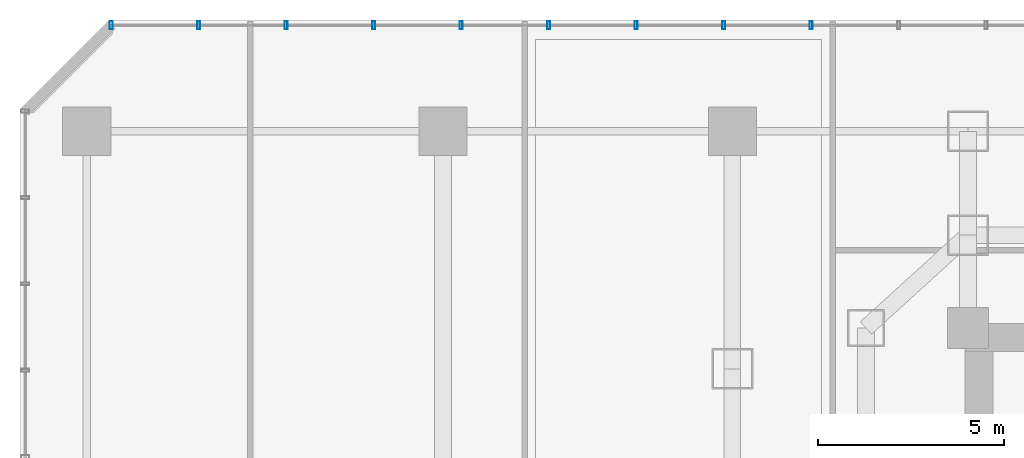
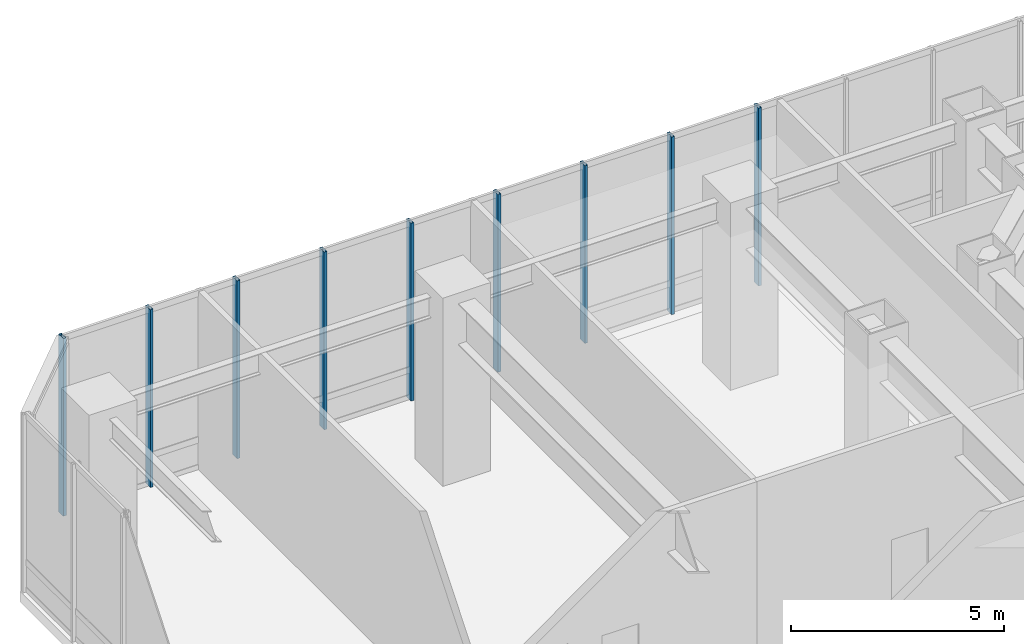
# One storey, part 16 of 35: 9 members, 1 element without a shape of its own.
"""IFC4 building model written with IfcOpenShell, lengths in metres."""

from ifc_helpers import new_model, si_unit, direction, frame, origin, origin_2d, place, context, subcontext, project, spatial, hollow_rectangle, extrude, material, layer, layer_set, material_profile, profile_set, type_object, element, aggregate, save


model = new_model("IFC4")

# Units and contexts
model_context = context("Model", 3, precision=1e-05, world=origin(), true_north=direction((0.0, 1.0)))
body_context = subcontext(model_context, "Body", "Model", "MODEL_VIEW")
ifc_project = project(units=[si_unit("LENGTHUNIT", "METRE"), si_unit("AREAUNIT", "SQUARE_METRE"), si_unit("VOLUMEUNIT", "CUBIC_METRE"), si_unit("PLANEANGLEUNIT", "RADIAN"), si_unit("MASSUNIT", "GRAM", prefix="KILO")], contexts=[model_context])

# Site, building, storey
site_placement = place(None, origin())
site = spatial("IfcSite", under=ifc_project, at=site_placement, CompositionType="ELEMENT")
building_placement = place(site_placement, origin())
building = spatial("IfcBuilding", under=site, at=building_placement, Name="Hatsunagi Terrace Concourse", CompositionType="ELEMENT")
storey_placement = place(building_placement, frame((0.0, 0.0, 10.800048828125)))
storey = spatial("IfcBuildingStorey", under=building, at=storey_placement, Name="L03", CompositionType="ELEMENT", Elevation=10.800048828125)

# Curtain wall, members
ifc_material_1 = material(Name="Anodised Aluminium Alloy 6063-T5", Category="aluminium")
ifc_layer = layer(ifc_material_1, 0.199951171875)
ifc_layer_set = layer_set([ifc_layer], Name="PodiumStorefront_CW01")
curtain_wall_type = type_object("IfcCurtainWallType", Name="PodiumStorefront_CW01", PredefinedType="NOTDEFINED", material=ifc_layer_set)
curtain_wall_placement = place(storey_placement, origin())
curtain_wall = element("IfcCurtainWall", 1, at=curtain_wall_placement, inside=storey, type_object=curtain_wall_type, Name="Unitised Curtain Wall CW-01 CW-L03-12", PredefinedType="NOTDEFINED")
ifc_material_2 = material(Name="Anodised Aluminium Alloy 6063-T5", Category="aluminium")
ifc_material_profile = material_profile(ifc_material_2, hollow_rectangle(XDim=0.080078125, YDim=0.219970703125, WallThickness=0.0048828125, at=origin_2d()), Name="ALU-MUL-220x80x5")
ifc_profile_set = profile_set([ifc_material_profile], Name="Anodised Aluminium Alloy 6063-T5")
member_type = type_object("IfcMemberType", Name="CurtainWallMullion_Heavy_220x80", PredefinedType="MULLION", material=ifc_profile_set)
member_1_placement = place(storey_placement, frame((2.4580078125, 51.4599609375, 0.0), z_axis=(0.0, 0.0, 1.0), x_axis=(1.0, 0.0, 0.0)))
member_1 = element("IfcMember", 2, at=member_1_placement, type_object=member_type, Name="Curtain Wall Mullion MUL-01", PredefinedType="MULLION", context=body_context, shape_type="SweptSolid", body=[
    extrude(hollow_rectangle(XDim=0.080078125, YDim=0.219970703125, WallThickness=0.0048828125, at=origin_2d()), origin(), (0.0, 0.0, 1.0), 5.099853515625),
])
member_2_placement = place(storey_placement, frame((4.81591796875, 51.4599609375, 0.0), z_axis=(0.0, 0.0, 1.0), x_axis=(1.0, 0.0, 0.0)))
member_2 = element("IfcMember", 3, at=member_2_placement, type_object=member_type, Name="Curtain Wall Mullion MUL-01", PredefinedType="MULLION", context=body_context, shape_type="SweptSolid", body=[
    extrude(hollow_rectangle(XDim=0.080078125, YDim=0.219970703125, WallThickness=0.0048828125, at=origin_2d()), origin(), (0.0, 0.0, 1.0), 5.099853515625),
])
member_3_placement = place(storey_placement, frame((7.174072265625, 51.4599609375, 0.0), z_axis=(0.0, 0.0, 1.0), x_axis=(1.0, 0.0, 0.0)))
member_3 = element("IfcMember", 4, at=member_3_placement, type_object=member_type, Name="Curtain Wall Mullion MUL-01", PredefinedType="MULLION", context=body_context, shape_type="SweptSolid", body=[
    extrude(hollow_rectangle(XDim=0.080078125, YDim=0.219970703125, WallThickness=0.0048828125, at=origin_2d()), origin(), (0.0, 0.0, 1.0), 5.099853515625),
])
member_4_placement = place(storey_placement, frame((9.531982421875, 51.4599609375, 0.0), z_axis=(0.0, 0.0, 1.0), x_axis=(1.0, 0.0, 0.0)))
member_4 = element("IfcMember", 5, at=member_4_placement, type_object=member_type, Name="Curtain Wall Mullion MUL-01", PredefinedType="MULLION", context=body_context, shape_type="SweptSolid", body=[
    extrude(hollow_rectangle(XDim=0.080078125, YDim=0.219970703125, WallThickness=0.0048828125, at=origin_2d()), origin(), (0.0, 0.0, 1.0), 5.099853515625),
])
member_5_placement = place(storey_placement, frame((11.889892578125, 51.4599609375, 0.0), z_axis=(0.0, 0.0, 1.0), x_axis=(1.0, 0.0, 0.0)))
member_5 = element("IfcMember", 6, at=member_5_placement, type_object=member_type, Name="Curtain Wall Mullion MUL-01", PredefinedType="MULLION", context=body_context, shape_type="SweptSolid", body=[
    extrude(hollow_rectangle(XDim=0.080078125, YDim=0.219970703125, WallThickness=0.0048828125, at=origin_2d()), origin(), (0.0, 0.0, 1.0), 5.099853515625),
])
member_6_placement = place(storey_placement, frame((14.2470703125, 51.4599609375, 0.0), z_axis=(0.0, 0.0, 1.0), x_axis=(1.0, 0.0, 0.0)))
member_6 = element("IfcMember", 7, at=member_6_placement, type_object=member_type, Name="Curtain Wall Mullion MUL-01", PredefinedType="MULLION", context=body_context, shape_type="SweptSolid", body=[
    extrude(hollow_rectangle(XDim=0.080078125, YDim=0.219970703125, WallThickness=0.0048828125, at=origin_2d()), origin(), (0.0, 0.0, 1.0), 5.099853515625),
])
member_7_placement = place(storey_placement, frame((16.60498046875, 51.4599609375, 0.0), z_axis=(0.0, 0.0, 1.0), x_axis=(1.0, 0.0, 0.0)))
member_7 = element("IfcMember", 8, at=member_7_placement, type_object=member_type, Name="Curtain Wall Mullion MUL-01", PredefinedType="MULLION", context=body_context, shape_type="SweptSolid", body=[
    extrude(hollow_rectangle(XDim=0.080078125, YDim=0.219970703125, WallThickness=0.0048828125, at=origin_2d()), origin(), (0.0, 0.0, 1.0), 5.099853515625),
])
member_8_placement = place(storey_placement, frame((18.962890625, 51.4599609375, 0.0), z_axis=(0.0, 0.0, 1.0), x_axis=(1.0, 0.0, 0.0)))
member_8 = element("IfcMember", 9, at=member_8_placement, type_object=member_type, Name="Curtain Wall Mullion MUL-01", PredefinedType="MULLION", context=body_context, shape_type="SweptSolid", body=[
    extrude(hollow_rectangle(XDim=0.080078125, YDim=0.219970703125, WallThickness=0.0048828125, at=origin_2d()), origin(), (0.0, 0.0, 1.0), 5.099853515625),
])
member_9_placement = place(storey_placement, frame((21.321044921875, 51.4599609375, 0.0), z_axis=(0.0, 0.0, 1.0), x_axis=(1.0, 0.0, 0.0)))
member_9 = element("IfcMember", 10, at=member_9_placement, type_object=member_type, Name="Curtain Wall Mullion MUL-01", PredefinedType="MULLION", context=body_context, shape_type="SweptSolid", body=[
    extrude(hollow_rectangle(XDim=0.080078125, YDim=0.219970703125, WallThickness=0.0048828125, at=origin_2d()), origin(), (0.0, 0.0, 1.0), 5.099853515625),
])
aggregate(curtain_wall, [member_1, member_2, member_3, member_4, member_5, member_6, member_7, member_8, member_9])

save(model, "model.ifc")
